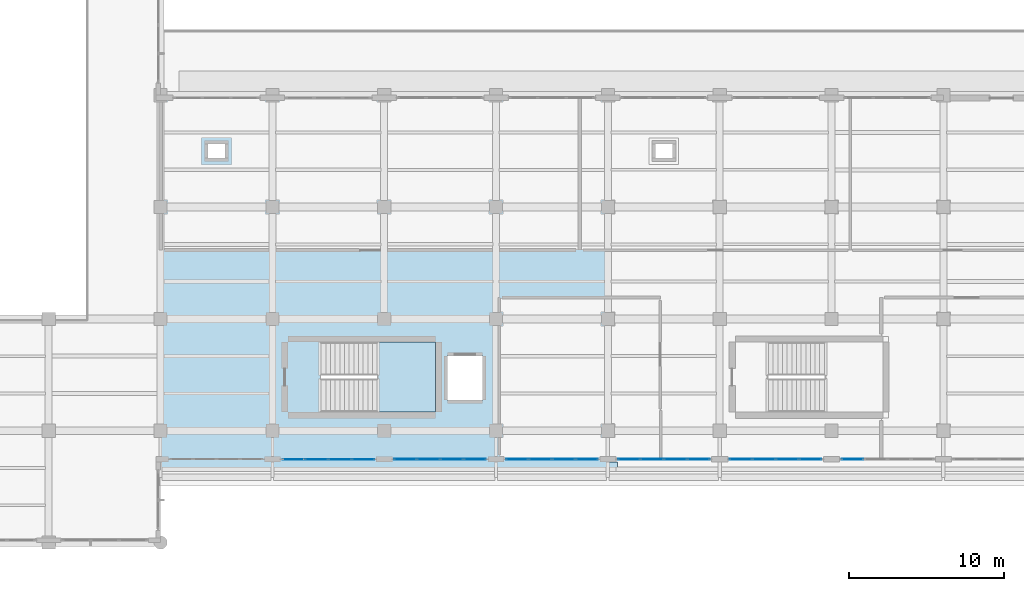
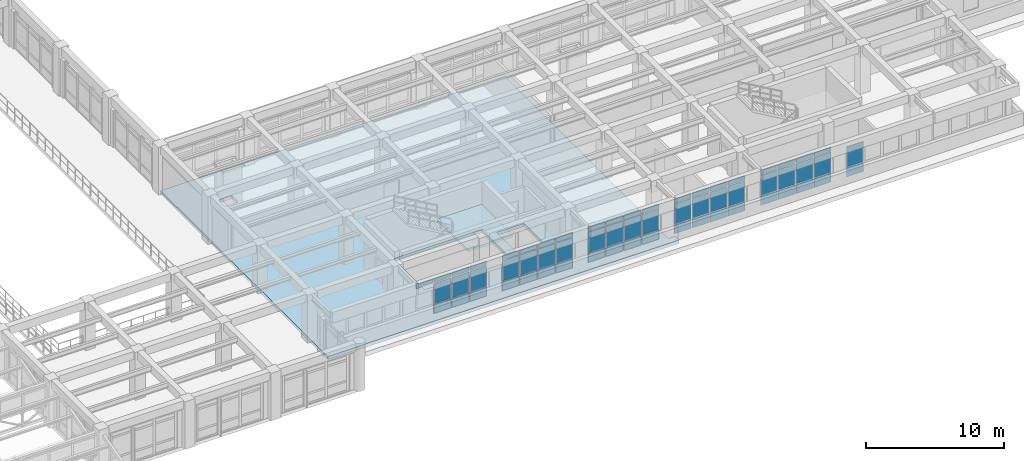
# One storey, part 68 of 98: 60 plates, 2 slabs, 7 elements without a shape of their own.
"""IFC4 building model written with IfcOpenShell, lengths in metres."""

from ifc_helpers import new_model, si_unit, direction, frame, origin, origin_2d, place, context, subcontext, project, spatial, polyline, rectangle, outline, extrude, material, layer, layer_set, type_object, element, aggregate, save


model = new_model("IFC4")

# Units and contexts
model_context = context("Model", 3, precision=1e-05, world=origin(), true_north=direction((0.0, 1.0)))
body_context = subcontext(model_context, "Body", "Model", "MODEL_VIEW")
ifc_project = project(units=[si_unit("LENGTHUNIT", "METRE"), si_unit("AREAUNIT", "SQUARE_METRE"), si_unit("VOLUMEUNIT", "CUBIC_METRE"), si_unit("PLANEANGLEUNIT", "RADIAN"), si_unit("MASSUNIT", "GRAM", prefix="KILO")], contexts=[model_context])

# Site, building, storey
site_placement = place(None, origin())
site = spatial("IfcSite", under=ifc_project, at=site_placement, CompositionType="ELEMENT")
building_placement = place(site_placement, origin())
building = spatial("IfcBuilding", under=site, at=building_placement, Name="Solenvale Faculty of Natural Sciences", CompositionType="ELEMENT")
storey_placement = place(building_placement, frame((0.0, 0.0, 9.0)))
storey = spatial("IfcBuildingStorey", under=building, at=storey_placement, Name="L02", CompositionType="ELEMENT", Elevation=9.0)

# Curtain wall, plates
ifc_material_1 = material(Name="Anodised bronze aluminium", Category="aluminium")
ifc_layer_1 = layer(ifc_material_1, 0.18994140625)
ifc_layer_set_1 = layer_set([ifc_layer_1], Name="Anodised bronze aluminium")
curtain_wall_type = type_object("IfcCurtainWallType", Name="CW-TRAY-REC", PredefinedType="USERDEFINED", material=ifc_layer_set_1)
curtain_wall_1_placement = place(storey_placement, origin())
curtain_wall_1 = element("IfcCurtainWall", 1, at=curtain_wall_1_placement, inside=storey, type_object=curtain_wall_type, Name="L02 Curtain Wall CW-L02-P1-E12-B2", ObjectType="UNITISED CURTAIN WALL", PredefinedType="USERDEFINED")
ifc_material_2 = material(Name="Triple low-E insulated glass", Category="glass")
ifc_layer_2 = layer(ifc_material_2, 0.031982421875)
ifc_layer_set_2 = layer_set([ifc_layer_2], Name="Triple low-E insulated glass")
plate_type_1 = type_object("IfcPlateType", Name="CWP-PNL-32", PredefinedType="CURTAIN_PANEL", material=ifc_layer_set_2)
plate_1_placement = place(storey_placement, frame((66.15380859375, 19.762451171875, 2.79736328125), z_axis=(0.0, 0.0, 1.0), x_axis=(1.0, 0.0, 0.0)))
plate_1 = element("IfcPlate", 2, at=plate_1_placement, type_object=plate_type_1, Name="CW-02 panel 1.3", PredefinedType="CURTAIN_PANEL", context=body_context, shape_type="SweptSolid", body=[
    extrude(rectangle(XDim=1.3974609375, YDim=0.031982421875, at=origin_2d()), origin(), (0.0, 0.0, 1.0), 0.387451171875),
])
plate_2_placement = place(storey_placement, frame((67.64501953125, 19.762451171875, 0.074951171875), z_axis=(0.0, 0.0, 1.0), x_axis=(1.0, 0.0, 0.0)))
plate_2 = element("IfcPlate", 3, at=plate_2_placement, type_object=plate_type_1, Name="CW-02 panel 2.1", PredefinedType="CURTAIN_PANEL", context=body_context, shape_type="SweptSolid", body=[
    extrude(rectangle(XDim=1.43505859375, YDim=0.031982421875, at=origin_2d()), origin(), (0.0, 0.0, 1.0), 0.78759765625),
])
plate_3_placement = place(storey_placement, frame((67.64501953125, 19.762451171875, 0.9375), z_axis=(0.0, 0.0, 1.0), x_axis=(1.0, 0.0, 0.0)))
plate_3 = element("IfcPlate", 4, at=plate_3_placement, type_object=plate_type_1, Name="CW-02 panel 2.2", PredefinedType="CURTAIN_PANEL", context=body_context, shape_type="SweptSolid", body=[
    extrude(rectangle(XDim=1.43505859375, YDim=0.031982421875, at=origin_2d()), origin(), (0.0, 0.0, 1.0), 1.784912109375),
])
plate_4_placement = place(storey_placement, frame((67.64501953125, 19.762451171875, 2.79736328125), z_axis=(0.0, 0.0, 1.0), x_axis=(1.0, 0.0, 0.0)))
plate_4 = element("IfcPlate", 5, at=plate_4_placement, type_object=plate_type_1, Name="CW-02 panel 2.3", PredefinedType="CURTAIN_PANEL", context=body_context, shape_type="SweptSolid", body=[
    extrude(rectangle(XDim=1.43505859375, YDim=0.031982421875, at=origin_2d()), origin(), (0.0, 0.0, 1.0), 0.387451171875),
])
plate_5_placement = place(storey_placement, frame((69.155029296875, 19.762451171875, 0.074951171875), z_axis=(0.0, 0.0, 1.0), x_axis=(1.0, 0.0, 0.0)))
plate_5 = element("IfcPlate", 6, at=plate_5_placement, type_object=plate_type_1, Name="CW-02 panel 3.1", PredefinedType="CURTAIN_PANEL", context=body_context, shape_type="SweptSolid", body=[
    extrude(rectangle(XDim=1.43505859375, YDim=0.031982421875, at=origin_2d()), origin(), (0.0, 0.0, 1.0), 0.78759765625),
])
plate_6_placement = place(storey_placement, frame((69.155029296875, 19.762451171875, 0.9375), z_axis=(0.0, 0.0, 1.0), x_axis=(1.0, 0.0, 0.0)))
plate_6 = element("IfcPlate", 7, at=plate_6_placement, type_object=plate_type_1, Name="CW-02 panel 3.2", PredefinedType="CURTAIN_PANEL", context=body_context, shape_type="SweptSolid", body=[
    extrude(rectangle(XDim=1.43505859375, YDim=0.031982421875, at=origin_2d()), origin(), (0.0, 0.0, 1.0), 1.784912109375),
])
plate_7_placement = place(storey_placement, frame((69.155029296875, 19.762451171875, 2.79736328125), z_axis=(0.0, 0.0, 1.0), x_axis=(1.0, 0.0, 0.0)))
plate_7 = element("IfcPlate", 8, at=plate_7_placement, type_object=plate_type_1, Name="CW-02 panel 3.3", PredefinedType="CURTAIN_PANEL", context=body_context, shape_type="SweptSolid", body=[
    extrude(rectangle(XDim=1.43505859375, YDim=0.031982421875, at=origin_2d()), origin(), (0.0, 0.0, 1.0), 0.387451171875),
])
plate_8_placement = place(storey_placement, frame((70.646240234375, 19.762451171875, 0.074951171875), z_axis=(0.0, 0.0, 1.0), x_axis=(1.0, 0.0, 0.0)))
plate_8 = element("IfcPlate", 9, at=plate_8_placement, type_object=plate_type_1, Name="CW-02 panel 4.1", PredefinedType="CURTAIN_PANEL", context=body_context, shape_type="SweptSolid", body=[
    extrude(rectangle(XDim=1.3974609375, YDim=0.031982421875, at=origin_2d()), origin(), (0.0, 0.0, 1.0), 0.78759765625),
])
plate_9_placement = place(storey_placement, frame((70.646240234375, 19.762451171875, 0.9375), z_axis=(0.0, 0.0, 1.0), x_axis=(1.0, 0.0, 0.0)))
plate_9 = element("IfcPlate", 10, at=plate_9_placement, type_object=plate_type_1, Name="CW-02 panel 4.2", PredefinedType="CURTAIN_PANEL", context=body_context, shape_type="SweptSolid", body=[
    extrude(rectangle(XDim=1.3974609375, YDim=0.031982421875, at=origin_2d()), origin(), (0.0, 0.0, 1.0), 1.784912109375),
])
plate_10_placement = place(storey_placement, frame((70.646240234375, 19.762451171875, 2.79736328125), z_axis=(0.0, 0.0, 1.0), x_axis=(1.0, 0.0, 0.0)))
plate_10 = element("IfcPlate", 11, at=plate_10_placement, type_object=plate_type_1, Name="CW-02 panel 4.3", PredefinedType="CURTAIN_PANEL", context=body_context, shape_type="SweptSolid", body=[
    extrude(rectangle(XDim=1.3974609375, YDim=0.031982421875, at=origin_2d()), origin(), (0.0, 0.0, 1.0), 0.387451171875),
])
aggregate(curtain_wall_1, [plate_1, plate_2, plate_3, plate_4, plate_5, plate_6, plate_7, plate_8, plate_9, plate_10])

curtain_wall_2_placement = place(storey_placement, origin())
curtain_wall_2 = element("IfcCurtainWall", 12, at=curtain_wall_2_placement, inside=storey, type_object=curtain_wall_type, Name="L02 Curtain Wall CW-L02-P1-E12-B3", ObjectType="UNITISED CURTAIN WALL", PredefinedType="USERDEFINED")
ifc_layer_3 = layer(ifc_material_2, 0.035888671875)
ifc_layer_set_3 = layer_set([ifc_layer_3], Name="Triple low-E insulated glass")
plate_type_2 = type_object("IfcPlateType", Name="CWP-PNL-36", PredefinedType="CURTAIN_PANEL", material=ifc_layer_set_3)
plate_11_placement = place(storey_placement, frame((73.353759765625, 19.762451171875, 0.074951171875), z_axis=(0.0, 0.0, 1.0), x_axis=(1.0, 0.0, 0.0)))
plate_11 = element("IfcPlate", 13, at=plate_11_placement, type_object=plate_type_2, Name="CW-02 panel 1.1", PredefinedType="CURTAIN_PANEL", context=body_context, shape_type="SweptSolid", body=[
    extrude(rectangle(XDim=1.3974609375, YDim=0.035888671875, at=origin_2d()), origin(), (0.0, 0.0, 1.0), 0.78759765625),
])
plate_12_placement = place(storey_placement, frame((73.353759765625, 19.762451171875, 0.9375), z_axis=(0.0, 0.0, 1.0), x_axis=(1.0, 0.0, 0.0)))
plate_12 = element("IfcPlate", 14, at=plate_12_placement, type_object=plate_type_2, Name="CW-02 panel 1.2", PredefinedType="CURTAIN_PANEL", context=body_context, shape_type="SweptSolid", body=[
    extrude(rectangle(XDim=1.3974609375, YDim=0.035888671875, at=origin_2d()), origin(), (0.0, 0.0, 1.0), 1.784912109375),
])
plate_13_placement = place(storey_placement, frame((73.353759765625, 19.762451171875, 2.79736328125), z_axis=(0.0, 0.0, 1.0), x_axis=(1.0, 0.0, 0.0)))
plate_13 = element("IfcPlate", 15, at=plate_13_placement, type_object=plate_type_2, Name="CW-02 panel 1.3", PredefinedType="CURTAIN_PANEL", context=body_context, shape_type="SweptSolid", body=[
    extrude(rectangle(XDim=1.3974609375, YDim=0.035888671875, at=origin_2d()), origin(), (0.0, 0.0, 1.0), 0.387451171875),
])
plate_14_placement = place(storey_placement, frame((74.844970703125, 19.762451171875, 0.074951171875), z_axis=(0.0, 0.0, 1.0), x_axis=(1.0, 0.0, 0.0)))
plate_14 = element("IfcPlate", 16, at=plate_14_placement, type_object=plate_type_2, Name="CW-02 panel 2.1", PredefinedType="CURTAIN_PANEL", context=body_context, shape_type="SweptSolid", body=[
    extrude(rectangle(XDim=1.43505859375, YDim=0.035888671875, at=origin_2d()), origin(), (0.0, 0.0, 1.0), 0.78759765625),
])
plate_15_placement = place(storey_placement, frame((74.844970703125, 19.762451171875, 0.9375), z_axis=(0.0, 0.0, 1.0), x_axis=(1.0, 0.0, 0.0)))
plate_15 = element("IfcPlate", 17, at=plate_15_placement, type_object=plate_type_2, Name="CW-02 panel 2.2", PredefinedType="CURTAIN_PANEL", context=body_context, shape_type="SweptSolid", body=[
    extrude(rectangle(XDim=1.43505859375, YDim=0.035888671875, at=origin_2d()), origin(), (0.0, 0.0, 1.0), 1.784912109375),
])
plate_16_placement = place(storey_placement, frame((74.844970703125, 19.762451171875, 2.79736328125), z_axis=(0.0, 0.0, 1.0), x_axis=(1.0, 0.0, 0.0)))
plate_16 = element("IfcPlate", 18, at=plate_16_placement, type_object=plate_type_2, Name="CW-02 panel 2.3", PredefinedType="CURTAIN_PANEL", context=body_context, shape_type="SweptSolid", body=[
    extrude(rectangle(XDim=1.43505859375, YDim=0.035888671875, at=origin_2d()), origin(), (0.0, 0.0, 1.0), 0.387451171875),
])
plate_17_placement = place(storey_placement, frame((76.35498046875, 19.762451171875, 0.074951171875), z_axis=(0.0, 0.0, 1.0), x_axis=(1.0, 0.0, 0.0)))
plate_17 = element("IfcPlate", 19, at=plate_17_placement, type_object=plate_type_2, Name="CW-02 panel 3.1", PredefinedType="CURTAIN_PANEL", context=body_context, shape_type="SweptSolid", body=[
    extrude(rectangle(XDim=1.43505859375, YDim=0.035888671875, at=origin_2d()), origin(), (0.0, 0.0, 1.0), 0.78759765625),
])
plate_18_placement = place(storey_placement, frame((76.35498046875, 19.762451171875, 0.9375), z_axis=(0.0, 0.0, 1.0), x_axis=(1.0, 0.0, 0.0)))
plate_18 = element("IfcPlate", 20, at=plate_18_placement, type_object=plate_type_2, Name="CW-02 panel 3.2", PredefinedType="CURTAIN_PANEL", context=body_context, shape_type="SweptSolid", body=[
    extrude(rectangle(XDim=1.43505859375, YDim=0.035888671875, at=origin_2d()), origin(), (0.0, 0.0, 1.0), 1.784912109375),
])
plate_19_placement = place(storey_placement, frame((76.35498046875, 19.762451171875, 2.79736328125), z_axis=(0.0, 0.0, 1.0), x_axis=(1.0, 0.0, 0.0)))
plate_19 = element("IfcPlate", 21, at=plate_19_placement, type_object=plate_type_2, Name="CW-02 panel 3.3", PredefinedType="CURTAIN_PANEL", context=body_context, shape_type="SweptSolid", body=[
    extrude(rectangle(XDim=1.43505859375, YDim=0.035888671875, at=origin_2d()), origin(), (0.0, 0.0, 1.0), 0.387451171875),
])
plate_20_placement = place(storey_placement, frame((77.84619140625, 19.762451171875, 0.074951171875), z_axis=(0.0, 0.0, 1.0), x_axis=(1.0, 0.0, 0.0)))
plate_20 = element("IfcPlate", 22, at=plate_20_placement, type_object=plate_type_2, Name="CW-02 panel 4.1", PredefinedType="CURTAIN_PANEL", context=body_context, shape_type="SweptSolid", body=[
    extrude(rectangle(XDim=1.3974609375, YDim=0.035888671875, at=origin_2d()), origin(), (0.0, 0.0, 1.0), 0.78759765625),
])
plate_21_placement = place(storey_placement, frame((77.84619140625, 19.762451171875, 0.9375), z_axis=(0.0, 0.0, 1.0), x_axis=(1.0, 0.0, 0.0)))
plate_21 = element("IfcPlate", 23, at=plate_21_placement, type_object=plate_type_2, Name="CW-02 panel 4.2", PredefinedType="CURTAIN_PANEL", context=body_context, shape_type="SweptSolid", body=[
    extrude(rectangle(XDim=1.3974609375, YDim=0.035888671875, at=origin_2d()), origin(), (0.0, 0.0, 1.0), 1.784912109375),
])
plate_22_placement = place(storey_placement, frame((77.84619140625, 19.762451171875, 2.79736328125), z_axis=(0.0, 0.0, 1.0), x_axis=(1.0, 0.0, 0.0)))
plate_22 = element("IfcPlate", 24, at=plate_22_placement, type_object=plate_type_2, Name="CW-02 panel 4.3", PredefinedType="CURTAIN_PANEL", context=body_context, shape_type="SweptSolid", body=[
    extrude(rectangle(XDim=1.3974609375, YDim=0.035888671875, at=origin_2d()), origin(), (0.0, 0.0, 1.0), 0.387451171875),
])
aggregate(curtain_wall_2, [plate_11, plate_12, plate_13, plate_14, plate_15, plate_16, plate_17, plate_18, plate_19, plate_20, plate_21, plate_22])

curtain_wall_3_placement = place(storey_placement, origin())
curtain_wall_3 = element("IfcCurtainWall", 25, at=curtain_wall_3_placement, inside=storey, type_object=curtain_wall_type, Name="L02 Curtain Wall CW-L02-P1-E12-B4", ObjectType="UNITISED CURTAIN WALL", PredefinedType="USERDEFINED")
ifc_layer_4 = layer(ifc_material_2, 0.0400390625)
ifc_layer_set_4 = layer_set([ifc_layer_4], Name="Triple low-E insulated glass")
plate_type_3 = type_object("IfcPlateType", Name="CWP-PNL-40", PredefinedType="CURTAIN_PANEL", material=ifc_layer_set_4)
plate_23_placement = place(storey_placement, frame((80.5537109375, 19.762451171875, 0.074951171875), z_axis=(0.0, 0.0, 1.0), x_axis=(1.0, 0.0, 0.0)))
plate_23 = element("IfcPlate", 26, at=plate_23_placement, type_object=plate_type_3, Name="CW-02 panel 1.1", PredefinedType="CURTAIN_PANEL", context=body_context, shape_type="SweptSolid", body=[
    extrude(rectangle(XDim=1.3974609375, YDim=0.0400390625, at=origin_2d()), origin(), (0.0, 0.0, 1.0), 0.78759765625),
])
plate_24_placement = place(storey_placement, frame((80.5537109375, 19.762451171875, 0.9375), z_axis=(0.0, 0.0, 1.0), x_axis=(1.0, 0.0, 0.0)))
plate_24 = element("IfcPlate", 27, at=plate_24_placement, type_object=plate_type_3, Name="CW-02 panel 1.2", PredefinedType="CURTAIN_PANEL", context=body_context, shape_type="SweptSolid", body=[
    extrude(rectangle(XDim=1.3974609375, YDim=0.0400390625, at=origin_2d()), origin(), (0.0, 0.0, 1.0), 1.784912109375),
])
plate_25_placement = place(storey_placement, frame((80.5537109375, 19.762451171875, 2.79736328125), z_axis=(0.0, 0.0, 1.0), x_axis=(1.0, 0.0, 0.0)))
plate_25 = element("IfcPlate", 28, at=plate_25_placement, type_object=plate_type_3, Name="CW-02 panel 1.3", PredefinedType="CURTAIN_PANEL", context=body_context, shape_type="SweptSolid", body=[
    extrude(rectangle(XDim=1.3974609375, YDim=0.0400390625, at=origin_2d()), origin(), (0.0, 0.0, 1.0), 0.387451171875),
])
plate_26_placement = place(storey_placement, frame((82.044921875, 19.762451171875, 0.074951171875), z_axis=(0.0, 0.0, 1.0), x_axis=(1.0, 0.0, 0.0)))
plate_26 = element("IfcPlate", 29, at=plate_26_placement, type_object=plate_type_3, Name="CW-02 panel 2.1", PredefinedType="CURTAIN_PANEL", context=body_context, shape_type="SweptSolid", body=[
    extrude(rectangle(XDim=1.43505859375, YDim=0.0400390625, at=origin_2d()), origin(), (0.0, 0.0, 1.0), 0.78759765625),
])
plate_27_placement = place(storey_placement, frame((82.044921875, 19.762451171875, 0.9375), z_axis=(0.0, 0.0, 1.0), x_axis=(1.0, 0.0, 0.0)))
plate_27 = element("IfcPlate", 30, at=plate_27_placement, type_object=plate_type_3, Name="CW-02 panel 2.2", PredefinedType="CURTAIN_PANEL", context=body_context, shape_type="SweptSolid", body=[
    extrude(rectangle(XDim=1.43505859375, YDim=0.0400390625, at=origin_2d()), origin(), (0.0, 0.0, 1.0), 1.784912109375),
])
plate_28_placement = place(storey_placement, frame((82.044921875, 19.762451171875, 2.79736328125), z_axis=(0.0, 0.0, 1.0), x_axis=(1.0, 0.0, 0.0)))
plate_28 = element("IfcPlate", 31, at=plate_28_placement, type_object=plate_type_3, Name="CW-02 panel 2.3", PredefinedType="CURTAIN_PANEL", context=body_context, shape_type="SweptSolid", body=[
    extrude(rectangle(XDim=1.43505859375, YDim=0.0400390625, at=origin_2d()), origin(), (0.0, 0.0, 1.0), 0.387451171875),
])
plate_29_placement = place(storey_placement, frame((83.554931640625, 19.762451171875, 0.074951171875), z_axis=(0.0, 0.0, 1.0), x_axis=(1.0, 0.0, 0.0)))
plate_29 = element("IfcPlate", 32, at=plate_29_placement, type_object=plate_type_3, Name="CW-02 panel 3.1", PredefinedType="CURTAIN_PANEL", context=body_context, shape_type="SweptSolid", body=[
    extrude(rectangle(XDim=1.43505859375, YDim=0.0400390625, at=origin_2d()), origin(), (0.0, 0.0, 1.0), 0.78759765625),
])
plate_30_placement = place(storey_placement, frame((83.554931640625, 19.762451171875, 0.9375), z_axis=(0.0, 0.0, 1.0), x_axis=(1.0, 0.0, 0.0)))
plate_30 = element("IfcPlate", 33, at=plate_30_placement, type_object=plate_type_3, Name="CW-02 panel 3.2", PredefinedType="CURTAIN_PANEL", context=body_context, shape_type="SweptSolid", body=[
    extrude(rectangle(XDim=1.43505859375, YDim=0.0400390625, at=origin_2d()), origin(), (0.0, 0.0, 1.0), 1.784912109375),
])
plate_31_placement = place(storey_placement, frame((83.554931640625, 19.762451171875, 2.79736328125), z_axis=(0.0, 0.0, 1.0), x_axis=(1.0, 0.0, 0.0)))
plate_31 = element("IfcPlate", 34, at=plate_31_placement, type_object=plate_type_3, Name="CW-02 panel 3.3", PredefinedType="CURTAIN_PANEL", context=body_context, shape_type="SweptSolid", body=[
    extrude(rectangle(XDim=1.43505859375, YDim=0.0400390625, at=origin_2d()), origin(), (0.0, 0.0, 1.0), 0.387451171875),
])
plate_32_placement = place(storey_placement, frame((85.046142578125, 19.762451171875, 0.074951171875), z_axis=(0.0, 0.0, 1.0), x_axis=(1.0, 0.0, 0.0)))
plate_32 = element("IfcPlate", 35, at=plate_32_placement, type_object=plate_type_3, Name="CW-02 panel 4.1", PredefinedType="CURTAIN_PANEL", context=body_context, shape_type="SweptSolid", body=[
    extrude(rectangle(XDim=1.3974609375, YDim=0.0400390625, at=origin_2d()), origin(), (0.0, 0.0, 1.0), 0.78759765625),
])
plate_33_placement = place(storey_placement, frame((85.046142578125, 19.762451171875, 0.9375), z_axis=(0.0, 0.0, 1.0), x_axis=(1.0, 0.0, 0.0)))
plate_33 = element("IfcPlate", 36, at=plate_33_placement, type_object=plate_type_3, Name="CW-02 panel 4.2", PredefinedType="CURTAIN_PANEL", context=body_context, shape_type="SweptSolid", body=[
    extrude(rectangle(XDim=1.3974609375, YDim=0.0400390625, at=origin_2d()), origin(), (0.0, 0.0, 1.0), 1.784912109375),
])
plate_34_placement = place(storey_placement, frame((85.046142578125, 19.762451171875, 2.79736328125), z_axis=(0.0, 0.0, 1.0), x_axis=(1.0, 0.0, 0.0)))
plate_34 = element("IfcPlate", 37, at=plate_34_placement, type_object=plate_type_3, Name="CW-02 panel 4.3", PredefinedType="CURTAIN_PANEL", context=body_context, shape_type="SweptSolid", body=[
    extrude(rectangle(XDim=1.3974609375, YDim=0.0400390625, at=origin_2d()), origin(), (0.0, 0.0, 1.0), 0.387451171875),
])
aggregate(curtain_wall_3, [plate_23, plate_24, plate_25, plate_26, plate_27, plate_28, plate_29, plate_30, plate_31, plate_32, plate_33, plate_34])

curtain_wall_4_placement = place(storey_placement, origin())
curtain_wall_4 = element("IfcCurtainWall", 38, at=curtain_wall_4_placement, inside=storey, type_object=curtain_wall_type, Name="L02 Curtain Wall CW-L02-P1-E12-B5", ObjectType="UNITISED CURTAIN WALL", PredefinedType="USERDEFINED")
ifc_layer_5 = layer(ifc_material_2, 0.0439453125)
ifc_layer_set_5 = layer_set([ifc_layer_5], Name="Triple low-E insulated glass")
plate_type_4 = type_object("IfcPlateType", Name="CWP-PNL-44", PredefinedType="CURTAIN_PANEL", material=ifc_layer_set_5)
plate_35_placement = place(storey_placement, frame((87.753662109375, 19.762451171875, 0.074951171875), z_axis=(0.0, 0.0, 1.0), x_axis=(1.0, 0.0, 0.0)))
plate_35 = element("IfcPlate", 39, at=plate_35_placement, type_object=plate_type_4, Name="CW-02 panel 1.1", PredefinedType="CURTAIN_PANEL", context=body_context, shape_type="SweptSolid", body=[
    extrude(rectangle(XDim=1.3974609375, YDim=0.0439453125, at=origin_2d()), origin(), (0.0, 0.0, 1.0), 0.78759765625),
])
plate_36_placement = place(storey_placement, frame((87.753662109375, 19.762451171875, 0.9375), z_axis=(0.0, 0.0, 1.0), x_axis=(1.0, 0.0, 0.0)))
plate_36 = element("IfcPlate", 40, at=plate_36_placement, type_object=plate_type_4, Name="CW-02 panel 1.2", PredefinedType="CURTAIN_PANEL", context=body_context, shape_type="SweptSolid", body=[
    extrude(rectangle(XDim=1.3974609375, YDim=0.0439453125, at=origin_2d()), origin(), (0.0, 0.0, 1.0), 1.784912109375),
])
plate_37_placement = place(storey_placement, frame((87.753662109375, 19.762451171875, 2.79736328125), z_axis=(0.0, 0.0, 1.0), x_axis=(1.0, 0.0, 0.0)))
plate_37 = element("IfcPlate", 41, at=plate_37_placement, type_object=plate_type_4, Name="CW-02 panel 1.3", PredefinedType="CURTAIN_PANEL", context=body_context, shape_type="SweptSolid", body=[
    extrude(rectangle(XDim=1.3974609375, YDim=0.0439453125, at=origin_2d()), origin(), (0.0, 0.0, 1.0), 0.387451171875),
])
plate_38_placement = place(storey_placement, frame((89.2451171875, 19.762451171875, 0.074951171875), z_axis=(0.0, 0.0, 1.0), x_axis=(1.0, 0.0, 0.0)))
plate_38 = element("IfcPlate", 42, at=plate_38_placement, type_object=plate_type_4, Name="CW-02 panel 2.1", PredefinedType="CURTAIN_PANEL", context=body_context, shape_type="SweptSolid", body=[
    extrude(rectangle(XDim=1.43505859375, YDim=0.0439453125, at=origin_2d()), origin(), (0.0, 0.0, 1.0), 0.78759765625),
])
plate_39_placement = place(storey_placement, frame((89.2451171875, 19.762451171875, 0.9375), z_axis=(0.0, 0.0, 1.0), x_axis=(1.0, 0.0, 0.0)))
plate_39 = element("IfcPlate", 43, at=plate_39_placement, type_object=plate_type_4, Name="CW-02 panel 2.2", PredefinedType="CURTAIN_PANEL", context=body_context, shape_type="SweptSolid", body=[
    extrude(rectangle(XDim=1.43505859375, YDim=0.0439453125, at=origin_2d()), origin(), (0.0, 0.0, 1.0), 1.784912109375),
])
plate_40_placement = place(storey_placement, frame((89.2451171875, 19.762451171875, 2.79736328125), z_axis=(0.0, 0.0, 1.0), x_axis=(1.0, 0.0, 0.0)))
plate_40 = element("IfcPlate", 44, at=plate_40_placement, type_object=plate_type_4, Name="CW-02 panel 2.3", PredefinedType="CURTAIN_PANEL", context=body_context, shape_type="SweptSolid", body=[
    extrude(rectangle(XDim=1.43505859375, YDim=0.0439453125, at=origin_2d()), origin(), (0.0, 0.0, 1.0), 0.387451171875),
])
plate_41_placement = place(storey_placement, frame((90.7548828125, 19.762451171875, 0.074951171875), z_axis=(0.0, 0.0, 1.0), x_axis=(1.0, 0.0, 0.0)))
plate_41 = element("IfcPlate", 45, at=plate_41_placement, type_object=plate_type_4, Name="CW-02 panel 3.1", PredefinedType="CURTAIN_PANEL", context=body_context, shape_type="SweptSolid", body=[
    extrude(rectangle(XDim=1.43505859375, YDim=0.0439453125, at=origin_2d()), origin(), (0.0, 0.0, 1.0), 0.78759765625),
])
plate_42_placement = place(storey_placement, frame((90.7548828125, 19.762451171875, 0.9375), z_axis=(0.0, 0.0, 1.0), x_axis=(1.0, 0.0, 0.0)))
plate_42 = element("IfcPlate", 46, at=plate_42_placement, type_object=plate_type_4, Name="CW-02 panel 3.2", PredefinedType="CURTAIN_PANEL", context=body_context, shape_type="SweptSolid", body=[
    extrude(rectangle(XDim=1.43505859375, YDim=0.0439453125, at=origin_2d()), origin(), (0.0, 0.0, 1.0), 1.784912109375),
])
plate_43_placement = place(storey_placement, frame((90.7548828125, 19.762451171875, 2.79736328125), z_axis=(0.0, 0.0, 1.0), x_axis=(1.0, 0.0, 0.0)))
plate_43 = element("IfcPlate", 47, at=plate_43_placement, type_object=plate_type_4, Name="CW-02 panel 3.3", PredefinedType="CURTAIN_PANEL", context=body_context, shape_type="SweptSolid", body=[
    extrude(rectangle(XDim=1.43505859375, YDim=0.0439453125, at=origin_2d()), origin(), (0.0, 0.0, 1.0), 0.387451171875),
])
plate_44_placement = place(storey_placement, frame((92.246337890625, 19.762451171875, 0.074951171875), z_axis=(0.0, 0.0, 1.0), x_axis=(1.0, 0.0, 0.0)))
plate_44 = element("IfcPlate", 48, at=plate_44_placement, type_object=plate_type_4, Name="CW-02 panel 4.1", PredefinedType="CURTAIN_PANEL", context=body_context, shape_type="SweptSolid", body=[
    extrude(rectangle(XDim=1.3974609375, YDim=0.0439453125, at=origin_2d()), origin(), (0.0, 0.0, 1.0), 0.78759765625),
])
plate_45_placement = place(storey_placement, frame((92.246337890625, 19.762451171875, 0.9375), z_axis=(0.0, 0.0, 1.0), x_axis=(1.0, 0.0, 0.0)))
plate_45 = element("IfcPlate", 49, at=plate_45_placement, type_object=plate_type_4, Name="CW-02 panel 4.2", PredefinedType="CURTAIN_PANEL", context=body_context, shape_type="SweptSolid", body=[
    extrude(rectangle(XDim=1.3974609375, YDim=0.0439453125, at=origin_2d()), origin(), (0.0, 0.0, 1.0), 1.784912109375),
])
plate_46_placement = place(storey_placement, frame((92.246337890625, 19.762451171875, 2.79736328125), z_axis=(0.0, 0.0, 1.0), x_axis=(1.0, 0.0, 0.0)))
plate_46 = element("IfcPlate", 50, at=plate_46_placement, type_object=plate_type_4, Name="CW-02 panel 4.3", PredefinedType="CURTAIN_PANEL", context=body_context, shape_type="SweptSolid", body=[
    extrude(rectangle(XDim=1.3974609375, YDim=0.0439453125, at=origin_2d()), origin(), (0.0, 0.0, 1.0), 0.387451171875),
])
aggregate(curtain_wall_4, [plate_35, plate_36, plate_37, plate_38, plate_39, plate_40, plate_41, plate_42, plate_43, plate_44, plate_45, plate_46])

curtain_wall_5_placement = place(storey_placement, origin())
curtain_wall_5 = element("IfcCurtainWall", 51, at=curtain_wall_5_placement, inside=storey, type_object=curtain_wall_type, Name="L02 Curtain Wall CW-L02-P1-E12-B6", ObjectType="UNITISED CURTAIN WALL", PredefinedType="USERDEFINED")
ifc_layer_6 = layer(ifc_material_1, 0.048095703125)
ifc_layer_set_6 = layer_set([ifc_layer_6], Name="Anodised bronze aluminium")
plate_type_5 = type_object("IfcPlateType", Name="CWP-PNL-48", PredefinedType="CURTAIN_PANEL", material=ifc_layer_set_6)
plate_47_placement = place(storey_placement, frame((94.953857421875, 19.762451171875, 0.074951171875), z_axis=(0.0, 0.0, 1.0), x_axis=(1.0, 0.0, 0.0)))
plate_47 = element("IfcPlate", 52, at=plate_47_placement, type_object=plate_type_5, Name="CW-02 panel 1.1", PredefinedType="CURTAIN_PANEL", context=body_context, shape_type="SweptSolid", body=[
    extrude(rectangle(XDim=1.3974609375, YDim=0.048095703125, at=origin_2d()), origin(), (0.0, 0.0, 1.0), 0.78759765625),
])
plate_48_placement = place(storey_placement, frame((94.953857421875, 19.762451171875, 0.9375), z_axis=(0.0, 0.0, 1.0), x_axis=(1.0, 0.0, 0.0)))
plate_48 = element("IfcPlate", 53, at=plate_48_placement, type_object=plate_type_5, Name="CW-02 panel 1.2", PredefinedType="CURTAIN_PANEL", context=body_context, shape_type="SweptSolid", body=[
    extrude(rectangle(XDim=1.3974609375, YDim=0.048095703125, at=origin_2d()), origin(), (0.0, 0.0, 1.0), 1.784912109375),
])
plate_49_placement = place(storey_placement, frame((94.953857421875, 19.762451171875, 2.79736328125), z_axis=(0.0, 0.0, 1.0), x_axis=(1.0, 0.0, 0.0)))
plate_49 = element("IfcPlate", 54, at=plate_49_placement, type_object=plate_type_5, Name="CW-02 panel 1.3", PredefinedType="CURTAIN_PANEL", context=body_context, shape_type="SweptSolid", body=[
    extrude(rectangle(XDim=1.3974609375, YDim=0.048095703125, at=origin_2d()), origin(), (0.0, 0.0, 1.0), 0.387451171875),
])
plate_50_placement = place(storey_placement, frame((96.445068359375, 19.762451171875, 0.074951171875), z_axis=(0.0, 0.0, 1.0), x_axis=(1.0, 0.0, 0.0)))
plate_50 = element("IfcPlate", 55, at=plate_50_placement, type_object=plate_type_5, Name="CW-02 panel 2.1", PredefinedType="CURTAIN_PANEL", context=body_context, shape_type="SweptSolid", body=[
    extrude(rectangle(XDim=1.43505859375, YDim=0.048095703125, at=origin_2d()), origin(), (0.0, 0.0, 1.0), 0.78759765625),
])
plate_51_placement = place(storey_placement, frame((96.445068359375, 19.762451171875, 0.9375), z_axis=(0.0, 0.0, 1.0), x_axis=(1.0, 0.0, 0.0)))
plate_51 = element("IfcPlate", 56, at=plate_51_placement, type_object=plate_type_5, Name="CW-02 panel 2.2", PredefinedType="CURTAIN_PANEL", context=body_context, shape_type="SweptSolid", body=[
    extrude(rectangle(XDim=1.43505859375, YDim=0.048095703125, at=origin_2d()), origin(), (0.0, 0.0, 1.0), 1.784912109375),
])
plate_52_placement = place(storey_placement, frame((96.445068359375, 19.762451171875, 2.79736328125), z_axis=(0.0, 0.0, 1.0), x_axis=(1.0, 0.0, 0.0)))
plate_52 = element("IfcPlate", 57, at=plate_52_placement, type_object=plate_type_5, Name="CW-02 panel 2.3", PredefinedType="CURTAIN_PANEL", context=body_context, shape_type="SweptSolid", body=[
    extrude(rectangle(XDim=1.43505859375, YDim=0.048095703125, at=origin_2d()), origin(), (0.0, 0.0, 1.0), 0.387451171875),
])
plate_53_placement = place(storey_placement, frame((97.955078125, 19.762451171875, 0.074951171875), z_axis=(0.0, 0.0, 1.0), x_axis=(1.0, 0.0, 0.0)))
plate_53 = element("IfcPlate", 58, at=plate_53_placement, type_object=plate_type_5, Name="CW-02 panel 3.1", PredefinedType="CURTAIN_PANEL", context=body_context, shape_type="SweptSolid", body=[
    extrude(rectangle(XDim=1.43505859375, YDim=0.048095703125, at=origin_2d()), origin(), (0.0, 0.0, 1.0), 0.78759765625),
])
plate_54_placement = place(storey_placement, frame((97.955078125, 19.762451171875, 0.9375), z_axis=(0.0, 0.0, 1.0), x_axis=(1.0, 0.0, 0.0)))
plate_54 = element("IfcPlate", 59, at=plate_54_placement, type_object=plate_type_5, Name="CW-02 panel 3.2", PredefinedType="CURTAIN_PANEL", context=body_context, shape_type="SweptSolid", body=[
    extrude(rectangle(XDim=1.43505859375, YDim=0.048095703125, at=origin_2d()), origin(), (0.0, 0.0, 1.0), 1.784912109375),
])
plate_55_placement = place(storey_placement, frame((97.955078125, 19.762451171875, 2.79736328125), z_axis=(0.0, 0.0, 1.0), x_axis=(1.0, 0.0, 0.0)))
plate_55 = element("IfcPlate", 60, at=plate_55_placement, type_object=plate_type_5, Name="CW-02 panel 3.3", PredefinedType="CURTAIN_PANEL", context=body_context, shape_type="SweptSolid", body=[
    extrude(rectangle(XDim=1.43505859375, YDim=0.048095703125, at=origin_2d()), origin(), (0.0, 0.0, 1.0), 0.387451171875),
])
plate_56_placement = place(storey_placement, frame((99.4462890625, 19.762451171875, 0.074951171875), z_axis=(0.0, 0.0, 1.0), x_axis=(1.0, 0.0, 0.0)))
plate_56 = element("IfcPlate", 61, at=plate_56_placement, type_object=plate_type_5, Name="CW-02 panel 4.1", PredefinedType="CURTAIN_PANEL", context=body_context, shape_type="SweptSolid", body=[
    extrude(rectangle(XDim=1.3974609375, YDim=0.048095703125, at=origin_2d()), origin(), (0.0, 0.0, 1.0), 0.78759765625),
])
plate_57_placement = place(storey_placement, frame((99.4462890625, 19.762451171875, 0.9375), z_axis=(0.0, 0.0, 1.0), x_axis=(1.0, 0.0, 0.0)))
plate_57 = element("IfcPlate", 62, at=plate_57_placement, type_object=plate_type_5, Name="CW-02 panel 4.2", PredefinedType="CURTAIN_PANEL", context=body_context, shape_type="SweptSolid", body=[
    extrude(rectangle(XDim=1.3974609375, YDim=0.048095703125, at=origin_2d()), origin(), (0.0, 0.0, 1.0), 1.784912109375),
])
plate_58_placement = place(storey_placement, frame((99.4462890625, 19.762451171875, 2.79736328125), z_axis=(0.0, 0.0, 1.0), x_axis=(1.0, 0.0, 0.0)))
plate_58 = element("IfcPlate", 63, at=plate_58_placement, type_object=plate_type_5, Name="CW-02 panel 4.3", PredefinedType="CURTAIN_PANEL", context=body_context, shape_type="SweptSolid", body=[
    extrude(rectangle(XDim=1.3974609375, YDim=0.048095703125, at=origin_2d()), origin(), (0.0, 0.0, 1.0), 0.387451171875),
])
aggregate(curtain_wall_5, [plate_47, plate_48, plate_49, plate_50, plate_51, plate_52, plate_53, plate_54, plate_55, plate_56, plate_57, plate_58])

curtain_wall_6_placement = place(storey_placement, origin())
curtain_wall_6 = element("IfcCurtainWall", 64, at=curtain_wall_6_placement, inside=storey, type_object=curtain_wall_type, Name="L02 Curtain Wall CW-L02-P1-E12-B7", ObjectType="UNITISED CURTAIN WALL", PredefinedType="USERDEFINED")
ifc_layer_7 = layer(ifc_material_1, 0.053955078125)
ifc_layer_set_7 = layer_set([ifc_layer_7], Name="Anodised bronze aluminium")
plate_type_6 = type_object("IfcPlateType", Name="CWP-PNL-54", PredefinedType="CURTAIN_PANEL", material=ifc_layer_set_7)
plate_59_placement = place(storey_placement, frame((102.15380859375, 19.762451171875, 0.074951171875), z_axis=(0.0, 0.0, 1.0), x_axis=(1.0, 0.0, 0.0)))
plate_59 = element("IfcPlate", 65, at=plate_59_placement, type_object=plate_type_6, Name="CW-02 panel 1.1", PredefinedType="CURTAIN_PANEL", context=body_context, shape_type="SweptSolid", body=[
    extrude(rectangle(XDim=1.3974609375, YDim=0.053955078125, at=origin_2d()), origin(), (0.0, 0.0, 1.0), 0.78759765625),
])
plate_60_placement = place(storey_placement, frame((102.15380859375, 19.762451171875, 0.9375), z_axis=(0.0, 0.0, 1.0), x_axis=(1.0, 0.0, 0.0)))
plate_60 = element("IfcPlate", 66, at=plate_60_placement, type_object=plate_type_6, Name="CW-02 panel 1.2", PredefinedType="CURTAIN_PANEL", context=body_context, shape_type="SweptSolid", body=[
    extrude(rectangle(XDim=1.3974609375, YDim=0.053955078125, at=origin_2d()), origin(), (0.0, 0.0, 1.0), 1.784912109375),
])
aggregate(curtain_wall_6, [plate_59, plate_60])

# Stair, slab
ifc_material_3 = material(Name="Concrete 40 MPa", Category="concrete")
stair_type = type_object("IfcStairType", Name="STR-CORE-25R", PredefinedType="DOUBLE_RETURN_STAIR", material=ifc_material_3)
stair_placement = place(storey_placement, origin())
stair = element("IfcStair", 67, at=stair_placement, inside=storey, type_object=stair_type, Name="L02 Protected Exit Stair ST-03", PredefinedType="DOUBLE_RETURN_STAIR")
ifc_layer_8 = layer(ifc_material_3, 0.195068359375)
ifc_layer_set_8 = layer_set([ifc_layer_8], Name="Concrete 40 MPa")
slab_type_1 = type_object("IfcSlabType", Name="SL-LND-195", PredefinedType="LANDING", material=ifc_layer_set_8)
slab_1_placement = place(storey_placement, frame((0.0, 0.0, 2.050048828125)))
slab_1 = element("IfcSlab", 68, at=slab_1_placement, type_object=slab_type_1, Name="ST-03 landing 1", PredefinedType="LANDING", context=body_context, shape_type="SweptSolid", body=[
    extrude(outline(polyline([(71.5400390625, 22.800048828125), (75.300048828125, 22.800048828125), (75.300048828125, 27.300048828125), (71.5400390625, 27.300048828125), (71.5400390625, 22.800048828125)])), origin(), (0.0, 0.0, 1.0), 0.199951171875),
])
aggregate(stair, [slab_1])

# Slab
ifc_material_4 = material(Name="Architectural bronze concrete 40 MPa", Category="concrete")
ifc_layer_9 = layer(ifc_material_4, 0.280029296875)
ifc_layer_set_9 = layer_set([ifc_layer_9], Name="Architectural bronze concrete 40 MPa")
slab_type_2 = type_object("IfcSlabType", Name="SL-TRAY-280", PredefinedType="FLOOR", material=ifc_layer_set_9)
slab_2_placement = place(storey_placement, frame((0.0, 0.0, -0.280029296875)))
element("IfcSlab", 69, at=slab_2_placement, inside=storey, type_object=slab_type_2, Name="L02 V4 Floor Slab 1.1", PredefinedType="FLOOR", context=body_context, shape_type="SweptSolid", body=[
    extrude(outline(polyline([(57.6201171875, 19.5498046875), (57.60009765625, 19.58740234375), (57.60009765625, 43.175048828125), (57.609130859375, 43.1943359375), (57.625, 43.199951171875), (86.37548828125, 43.199951171875), (86.42431640625, 43.1708984375), (86.429931640625, 43.155029296875), (86.429931640625, 19.600341796875), (86.435302734375, 19.586181640625), (86.44970703125, 19.580078125), (86.9951171875, 19.580078125), (87.0126953125, 19.57275390625), (87.02001953125, 19.554931640625), (87.02001953125, 19.0048828125), (87.010986328125, 18.985595703125), (86.9951171875, 18.97998046875), (57.64501953125, 18.97998046875), (57.629150390625, 18.985595703125), (57.6201171875, 19.00244140625), (57.6201171875, 19.5498046875)]), holes=[polyline([(76.06005859375, 23.56005859375), (78.340087890625, 23.56005859375), (78.340087890625, 26.43994140625), (76.06005859375, 26.43994140625), (76.06005859375, 23.56005859375)]), polyline([(67.93994140625, 22.800048828125), (75.300048828125, 22.800048828125), (75.300048828125, 27.300048828125), (67.93994140625, 27.300048828125), (67.93994140625, 22.800048828125)]), polyline([(60.64990234375, 39.14990234375), (61.75, 39.14990234375), (61.75, 40.050048828125), (60.64990234375, 40.050048828125), (60.64990234375, 39.14990234375)])]), origin(), (0.0, 0.0, 1.0), 0.280029296875),
])

save(model, "model.ifc")
